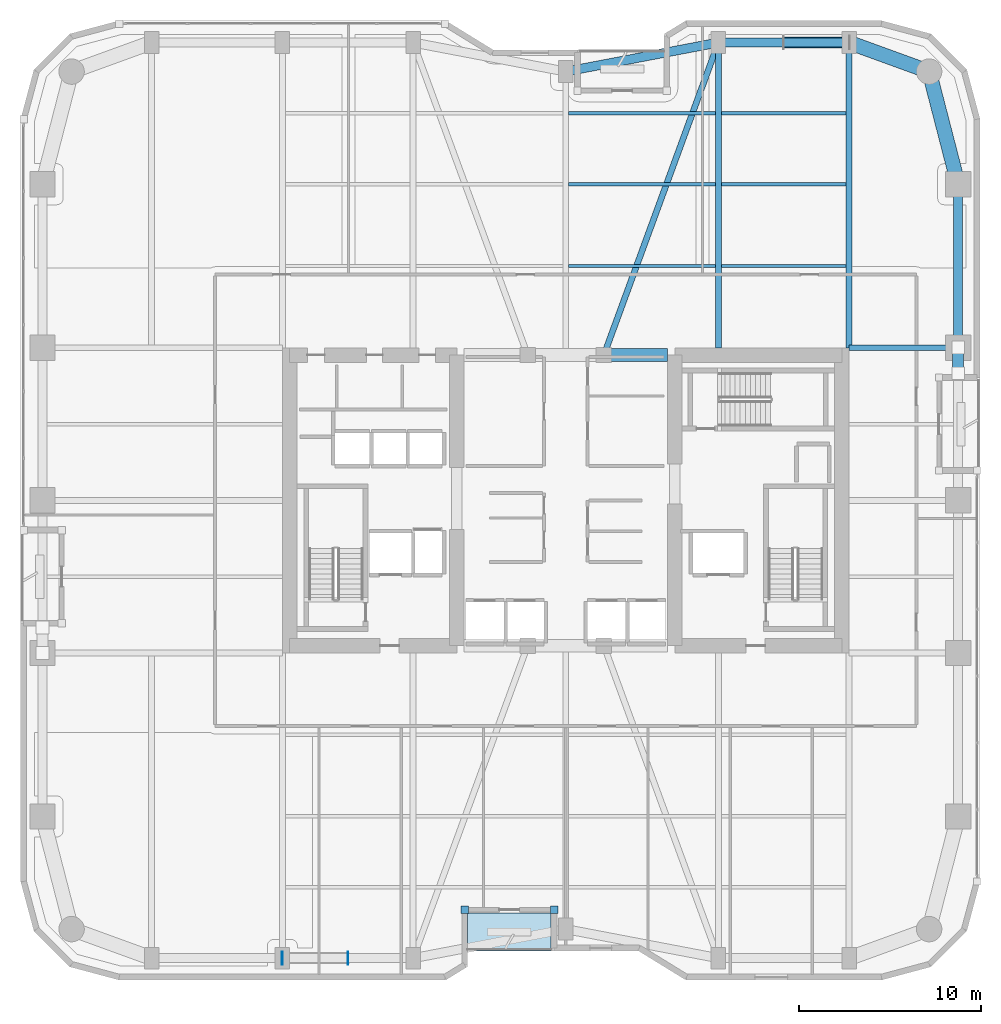
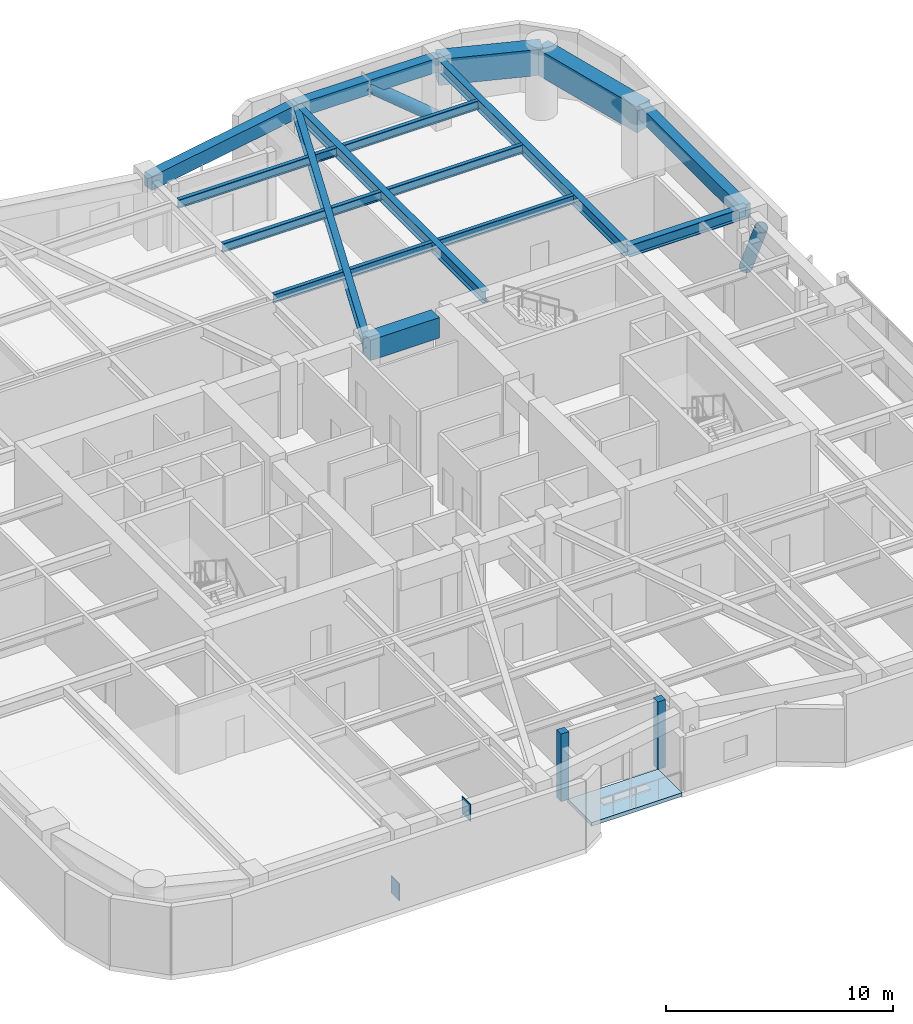
# One storey, part 15 of 24: 16 beams, 4 plates, 2 members, 1 slab.
"""IFC4 building model written with IfcOpenShell, lengths in metres."""

from ifc_helpers import new_model, si_unit, direction, frame, origin, origin_2d, place, context, subcontext, project, spatial, polyline, rectangle, hollow_circle, i_section, outline, extrude, material, layer, layer_set, material_profile, profile_set, type_object, element, save


model = new_model("IFC4")

# Units and contexts
model_context = context("Model", 3, precision=1e-05, world=origin(), true_north=direction((0.0, 1.0)))
body_context = subcontext(model_context, "Body", "Model", "MODEL_VIEW")
ifc_project = project(units=[si_unit("LENGTHUNIT", "METRE"), si_unit("AREAUNIT", "SQUARE_METRE"), si_unit("VOLUMEUNIT", "CUBIC_METRE"), si_unit("PLANEANGLEUNIT", "RADIAN"), si_unit("MASSUNIT", "GRAM", prefix="KILO")], contexts=[model_context])

# Site, building, storey
site_placement = place(None, origin())
site = spatial("IfcSite", under=ifc_project, at=site_placement, CompositionType="ELEMENT")
building_placement = place(site_placement, origin())
building = spatial("IfcBuilding", under=site, at=building_placement, Name="Kiyonajd Concourse Tower", CompositionType="ELEMENT")
storey_placement = place(building_placement, frame((0.0, 0.0, 109.199951171875)))
storey = spatial("IfcBuildingStorey", under=building, at=storey_placement, Name="L28", CompositionType="ELEMENT", Elevation=109.199951171875)

# Beams
ifc_material_1 = material(Name="Concrete C70/85", Category="concrete")
ifc_material_profile_1 = material_profile(ifc_material_1, rectangle(XDim=0.699951171875, YDim=1.10009765625, at=origin_2d()), Name="RCBM-700x1100")
ifc_profile_set_1 = profile_set([ifc_material_profile_1], Name="Concrete C70/85")
beam_type_1 = type_object("IfcBeamType", Name="BM-COUP-1100", PredefinedType="LINTEL", material=ifc_profile_set_1)
beam_1_placement = place(storey_placement, frame((50.10009765625, 44.0, 3.090087890625), z_axis=(1.0, 0.0, 0.0), x_axis=(0.0, 1.0, 0.0)))
element("IfcBeam", 1, at=beam_1_placement, inside=storey, type_object=beam_type_1, Name="L28 Core Coupling Beam N3", PredefinedType="LINTEL", context=body_context, shape_type="SweptSolid", body=[
    extrude(rectangle(XDim=0.699951171875, YDim=1.10009765625, at=origin_2d()), origin(), (0.0, 0.0, 1.0), 3.5),
])
ifc_material_2 = material(Name="Steel ASTM A992 Grade 50", Category="steel")
ifc_material_profile_2 = material_profile(ifc_material_2, i_section(OverallWidth=0.19189453125, OverallDepth=0.462890625, WebThickness=0.010498046875, FlangeThickness=0.017578125, at=origin_2d()), Name="W460X89")
ifc_profile_set_2 = profile_set([ifc_material_profile_2], Name="Steel ASTM A992 Grade 50")
beam_type_2 = type_object("IfcBeamType", Name="BM-JST-460B", PredefinedType="JOIST", material=ifc_profile_set_2)
beam_2_placement = place(storey_placement, frame((48.16357421875, 48.89990234375, 3.408447265625), z_axis=(1.0, 0.0, 0.0), x_axis=(0.0, 1.0, 0.0)))
element("IfcBeam", 2, at=beam_2_placement, inside=storey, type_object=beam_type_2, Name="L28 Secondary Floor Joist", PredefinedType="JOIST", context=body_context, shape_type="SweptSolid", body=[
    extrude(i_section(OverallWidth=0.19189453125, OverallDepth=0.462890625, WebThickness=0.010498046875, FlangeThickness=0.017578125, at=origin_2d()), origin(), (0.0, 0.0, 1.0), 8.072998046875),
])
beam_3_placement = place(storey_placement, frame((56.5634765625, 48.89990234375, 3.408447265625), z_axis=(1.0, 0.0, 0.0), x_axis=(0.0, 1.0, 0.0)))
element("IfcBeam", 3, at=beam_3_placement, inside=storey, type_object=beam_type_2, Name="L28 Secondary Floor Joist", PredefinedType="JOIST", context=body_context, shape_type="SweptSolid", body=[
    extrude(i_section(OverallWidth=0.19189453125, OverallDepth=0.462890625, WebThickness=0.010498046875, FlangeThickness=0.017578125, at=origin_2d()), origin(), (0.0, 0.0, 1.0), 6.873046875),
])
beam_4_placement = place(storey_placement, frame((48.16357421875, 53.39990234375, 3.408447265625), z_axis=(1.0, 0.0, 0.0), x_axis=(0.0, 1.0, 0.0)))
element("IfcBeam", 4, at=beam_4_placement, inside=storey, type_object=beam_type_2, Name="L28 Secondary Floor Joist", PredefinedType="JOIST", context=body_context, shape_type="SweptSolid", body=[
    extrude(i_section(OverallWidth=0.19189453125, OverallDepth=0.462890625, WebThickness=0.010498046875, FlangeThickness=0.017578125, at=origin_2d()), origin(), (0.0, 0.0, 1.0), 8.072998046875),
])
beam_5_placement = place(storey_placement, frame((56.5634765625, 53.39990234375, 3.408447265625), z_axis=(1.0, 0.0, 0.0), x_axis=(0.0, 1.0, 0.0)))
element("IfcBeam", 5, at=beam_5_placement, inside=storey, type_object=beam_type_2, Name="L28 Secondary Floor Joist", PredefinedType="JOIST", context=body_context, shape_type="SweptSolid", body=[
    extrude(i_section(OverallWidth=0.19189453125, OverallDepth=0.462890625, WebThickness=0.010498046875, FlangeThickness=0.017578125, at=origin_2d()), origin(), (0.0, 0.0, 1.0), 6.873046875),
])
beam_6_placement = place(storey_placement, frame((48.16357421875, 57.300048828125, 3.408447265625), z_axis=(1.0, 0.0, 0.0), x_axis=(0.0, 1.0, 0.0)))
element("IfcBeam", 6, at=beam_6_placement, inside=storey, type_object=beam_type_2, Name="L28 Secondary Floor Joist", PredefinedType="JOIST", context=body_context, shape_type="SweptSolid", body=[
    extrude(i_section(OverallWidth=0.19189453125, OverallDepth=0.462890625, WebThickness=0.010498046875, FlangeThickness=0.017578125, at=origin_2d()), origin(), (0.0, 0.0, 1.0), 8.072998046875),
])
beam_7_placement = place(storey_placement, frame((56.5634765625, 57.300048828125, 3.408447265625), z_axis=(1.0, 0.0, 0.0), x_axis=(0.0, 1.0, 0.0)))
element("IfcBeam", 7, at=beam_7_placement, inside=storey, type_object=beam_type_2, Name="L28 Secondary Floor Joist", PredefinedType="JOIST", context=body_context, shape_type="SweptSolid", body=[
    extrude(i_section(OverallWidth=0.19189453125, OverallDepth=0.462890625, WebThickness=0.010498046875, FlangeThickness=0.017578125, at=origin_2d()), origin(), (0.0, 0.0, 1.0), 6.873046875),
])
ifc_material_3 = material(Name="Precast concrete C50/60", Category="concrete")
ifc_material_profile_3 = material_profile(ifc_material_3, rectangle(XDim=0.5, YDim=0.75, at=origin_2d()), Name="RCBM-500x750")
ifc_profile_set_3 = profile_set([ifc_material_profile_3], Name="Precast concrete C50/60")
beam_type_3 = type_object("IfcBeamType", Name="BM-SPAN-RC", PredefinedType="SPANDREL", material=ifc_profile_set_3)
beam_8_placement = place(storey_placement, frame((69.60009765625, 44.39990234375, 3.26513671875), z_axis=(0.0, 1.0, 0.0), x_axis=(-1.0, 0.0, 0.0)))
element("IfcBeam", 8, at=beam_8_placement, inside=storey, type_object=beam_type_3, Name="L28 Perimeter Bundled Tube Spandrel", PredefinedType="SPANDREL", context=body_context, shape_type="SweptSolid", body=[
    extrude(rectangle(XDim=0.5, YDim=0.75, at=origin_2d()), origin(), (0.0, 0.0, 1.0), 9.0),
])
beam_9_placement = place(storey_placement, frame((63.60009765625, 61.199951171875, 3.26513671875), z_axis=(-1.0, 0.0, 0.0), x_axis=(0.0, -1.0, 0.0)))
element("IfcBeam", 9, at=beam_9_placement, inside=storey, type_object=beam_type_3, Name="L28 Perimeter Bundled Tube Spandrel", PredefinedType="SPANDREL", context=body_context, shape_type="SweptSolid", body=[
    extrude(rectangle(XDim=0.5, YDim=0.75, at=origin_2d()), origin(), (0.0, 0.0, 1.0), 7.2001953125),
])
beam_10_placement = place(storey_placement, frame((56.39990234375, 61.199951171875, 3.26513671875), z_axis=(-0.982341315253, -0.187097675953, 0.0), x_axis=(0.187097675953, -0.982341315253, 0.0)))
element("IfcBeam", 10, at=beam_10_placement, inside=storey, type_object=beam_type_3, Name="L28 Perimeter Bundled Tube Spandrel", PredefinedType="SPANDREL", context=body_context, shape_type="SweptSolid", body=[
    extrude(rectangle(XDim=0.5, YDim=0.75, at=origin_2d()), origin(), (0.0, 0.0, 1.0), 8.55078125),
])
ifc_material_profile_4 = material_profile(ifc_material_2, i_section(OverallWidth=0.326904296875, OverallDepth=0.6220703125, WebThickness=0.015380859375, FlangeThickness=0.0244140625, at=origin_2d()), Name="W610X195")
ifc_profile_set_4 = profile_set([ifc_material_profile_4], Name="Steel ASTM A992 Grade 50")
beam_type_4 = type_object("IfcBeamType", Name="BM-TWR-610A", PredefinedType="BEAM", material=ifc_profile_set_4)
beam_11_placement = place(storey_placement, frame((50.10009765625, 44.0, 3.3291015625), z_axis=(0.343925269715, 0.938997022813, 0.0), x_axis=(-0.938997022813, 0.343925269715, 0.0)))
element("IfcBeam", 11, at=beam_11_placement, inside=storey, type_object=beam_type_4, Name="L28 Core Tie Girder", PredefinedType="BEAM", context=body_context, shape_type="SweptSolid", body=[
    extrude(i_section(OverallWidth=0.326904296875, OverallDepth=0.6220703125, WebThickness=0.015380859375, FlangeThickness=0.0244140625, at=origin_2d()), origin(), (0.0, 0.0, 1.0), 18.3173828125),
])
for number, where, z_axis, x_axis, name in (
    (12, (56.39990234375, 44.39990234375, 3.3291015625), (0.0, 1.0, 0.0), (-1.0, 0.0, 0.0), "L28 North Lease Girder"),
    (13, (63.60009765625, 44.39990234375, 3.3291015625), (0.0, 1.0, 0.0), (-1.0, 0.0, 0.0), "L28 North Lease Girder"),
):
    element("IfcBeam", number, at=place(storey_placement, frame(where, z_axis=z_axis, x_axis=x_axis)), inside=storey, type_object=beam_type_4, Name=name, PredefinedType="BEAM", context=body_context, shape_type="SweptSolid", body=[
        extrude(i_section(OverallWidth=0.326904296875, OverallDepth=0.6220703125, WebThickness=0.015380859375, FlangeThickness=0.0244140625, at=origin_2d()), origin(), (0.0, 0.0, 1.0), 16.800048828125),
    ])
beam_12_placement = place(storey_placement, frame((63.60009765625, 44.39990234375, 3.3291015625), z_axis=(1.0, 0.0, 0.0), x_axis=(0.0, 1.0, 0.0)))
element("IfcBeam", 14, at=beam_12_placement, inside=storey, type_object=beam_type_4, Name="L28 East Lease Girder", PredefinedType="BEAM", context=body_context, shape_type="SweptSolid", body=[
    extrude(i_section(OverallWidth=0.326904296875, OverallDepth=0.6220703125, WebThickness=0.015380859375, FlangeThickness=0.0244140625, at=origin_2d()), origin(), (0.0, 0.0, 1.0), 6.0),
])
ifc_material_4 = material(Name="Concrete C60/75", Category="concrete")
ifc_material_profile_5 = material_profile(ifc_material_4, rectangle(XDim=0.800048828125, YDim=1.39990234375, at=origin_2d()), Name="RCBM-800x1400")
ifc_profile_set_5 = profile_set([ifc_material_profile_5], Name="Concrete C60/75")
beam_type_5 = type_object("IfcBeamType", Name="BM-XFER-RC", PredefinedType="BEAM", material=ifc_profile_set_5)
beam_13_placement = place(storey_placement, frame((69.60009765625, 53.39990234375, 2.93994140625), z_axis=(-0.249884937687, 0.968275538221, 0.0), x_axis=(-0.968275538221, -0.249884937687, 0.0)))
element("IfcBeam", 15, at=beam_13_placement, inside=storey, type_object=beam_type_5, Name="L28 Perimeter Bundled Tube Spandrel", PredefinedType="BEAM", context=body_context, shape_type="SweptSolid", body=[
    extrude(rectangle(XDim=0.800048828125, YDim=1.39990234375, at=origin_2d()), origin(), (0.0, 0.0, 1.0), 6.4033203125),
])
beam_14_placement = place(storey_placement, frame((68.0, 59.60009765625, 2.93994140625), z_axis=(-0.939801036019, 0.341722127901, 0.0), x_axis=(-0.341722127901, -0.939801036019, 0.0)))
element("IfcBeam", 16, at=beam_14_placement, inside=storey, type_object=beam_type_5, Name="L28 Perimeter Bundled Tube Spandrel", PredefinedType="BEAM", context=body_context, shape_type="SweptSolid", body=[
    extrude(rectangle(XDim=0.800048828125, YDim=1.39990234375, at=origin_2d()), origin(), (0.0, 0.0, 1.0), 4.681640625),
])

# Members
ifc_material_5 = material(Name="Steel ASTM A572 Grade 50", Category="steel")
ifc_material_profile_6 = material_profile(ifc_material_5, hollow_circle(Radius=0.304931640625, WallThickness=0.02490234375, at=origin_2d()), Name="CHS-610x25")
ifc_profile_set_6 = profile_set([ifc_material_profile_6], Name="Steel ASTM A572 Grade 50")
member_type = type_object("IfcMemberType", Name="MB-PB-LOW", PredefinedType="BRACE", material=ifc_profile_set_6)
member_1_placement = place(storey_placement, frame((63.60009765625, 61.199951171875, 0.300048828125), z_axis=(-0.769280705518, 0.0, 0.638910945373), x_axis=(0.0, -1.0, 0.0)))
element("IfcMember", 17, at=member_1_placement, inside=storey, type_object=member_type, Name="L28 Lower Zone Welded Tube Brace PBN", PredefinedType="BRACE", context=body_context, shape_type="SweptSolid", body=[
    extrude(hollow_circle(Radius=0.304931640625, WallThickness=0.02490234375, at=origin_2d()), origin(), (0.0, 0.0, 1.0), 4.679931640625),
])
member_2_placement = place(storey_placement, frame((69.60009765625, 44.39990234375, 0.300048828125), z_axis=(0.0, -0.424022702926, 0.905651559598), x_axis=(1.0, 0.0, 0.0)))
element("IfcMember", 18, at=member_2_placement, inside=storey, type_object=member_type, Name="L28 Lower Zone Welded Tube Brace PBE", PredefinedType="BRACE", context=body_context, shape_type="SweptSolid", body=[
    extrude(hollow_circle(Radius=0.304931640625, WallThickness=0.02490234375, at=origin_2d()), origin(), (0.0, 0.0, 1.0), 3.301513671875),
])

# Plates
ifc_layer_1 = layer(ifc_material_5, 0.028076171875)
ifc_layer_set_1 = layer_set([ifc_layer_1], Name="Steel ASTM A572 Grade 50")
plate_type_1 = type_object("IfcPlateType", Name="PL-CAP-450", PredefinedType="USERDEFINED", material=ifc_layer_set_1)
for number, where, z_axis, x_axis, name in (
    (19, (32.3916015625, 10.800048828125, -0.173583984375), (0.0, 0.0, 1.0), (-1.0, 0.0, 0.0), "L28 Hollow Brace End Cap Plate PBS"),
    (20, (36.008544921875, 10.800048828125, 2.83056640625), (0.0, 0.0, 1.0), (1.0, 0.0, 0.0), "L28 Hollow Brace Top Cap Plate PBS"),
):
    element("IfcPlate", number, at=place(storey_placement, frame(where, z_axis=z_axis, x_axis=x_axis)), inside=storey, type_object=plate_type_1, Name=name, ObjectType="CAP PLATE", PredefinedType="USERDEFINED", context=body_context, shape_type="SweptSolid", body=[
        extrude(rectangle(XDim=0.035888671875, YDim=0.72998046875, at=origin_2d()), origin(), (0.0, 0.0, 1.0), 0.93310546875),
    ])
ifc_material_6 = material(Name="Thermally Broken Anodised Aluminium", Category="aluminium")
ifc_layer_2 = layer(ifc_material_6, 0.39990234375)
ifc_layer_set_2 = layer_set([ifc_layer_2], Name="Thermally Broken Anodised Aluminium")
plate_type_2 = type_object("IfcPlateType", Name="PL-JMB-400", PredefinedType="USERDEFINED", material=ifc_layer_set_2)
for number, where, z_axis, x_axis, name in (
    (21, (47.360107421875, 13.4599609375, 0.0), (0.0, 0.0, 1.0), (1.0, 0.0, 0.0), "L28 Facade Jamb Closure Plate 13"),
    (22, (42.43994140625, 13.4599609375, 0.0), (0.0, 0.0, 1.0), (1.0, 0.0, 0.0), "L28 Facade Jamb Closure Plate 14"),
):
    element("IfcPlate", number, at=place(storey_placement, frame(where, z_axis=z_axis, x_axis=x_axis)), inside=storey, type_object=plate_type_2, Name=name, ObjectType="JAMB PLATE", PredefinedType="USERDEFINED", context=body_context, shape_type="SweptSolid", body=[
        extrude(rectangle(XDim=0.39990234375, YDim=0.39990234375, at=origin_2d()), origin(), (0.0, 0.0, 1.0), 3.639892578125),
    ])

# Slab
ifc_layer_3 = layer(ifc_material_3, 0.199951171875)
ifc_layer_set_3 = layer_set([ifc_layer_3], Name="Precast concrete C50/60")
slab_type = type_object("IfcSlabType", Name="SL-LOG-200", PredefinedType="FLOOR", material=ifc_layer_set_3)
slab_placement = place(storey_placement, frame((0.0, 0.0, -0.199951171875)))
element("IfcSlab", 23, at=slab_placement, inside=storey, type_object=slab_type, Name="L28 Recessed Engawa Loggia Terrace Slab LOG-S", PredefinedType="FLOOR", context=body_context, shape_type="SweptSolid", body=[
    extrude(outline(polyline([(42.60009765625, 11.199951171875), (47.199951171875, 11.199951171875), (47.199951171875, 13.300048828125), (42.60009765625, 13.300048828125), (42.60009765625, 11.199951171875)])), origin(), (0.0, 0.0, 1.0), 0.199951171875),
])

save(model, "model.ifc")
